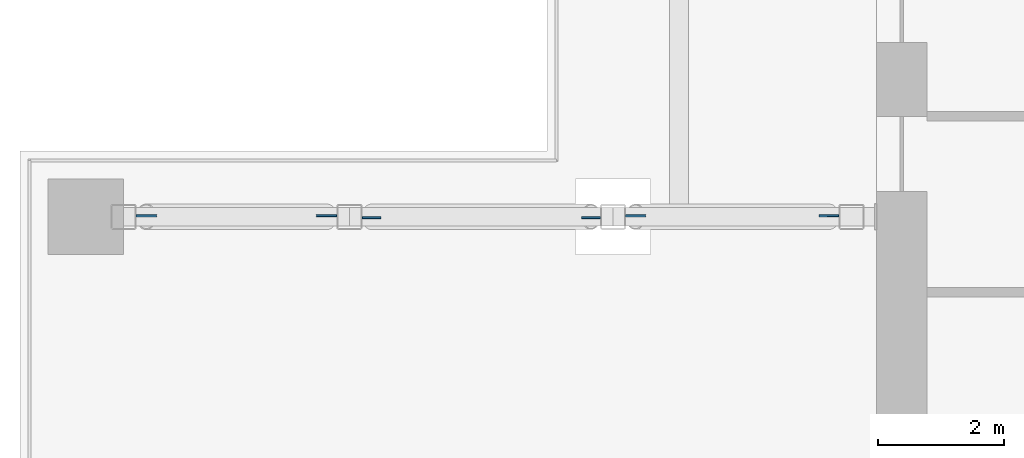
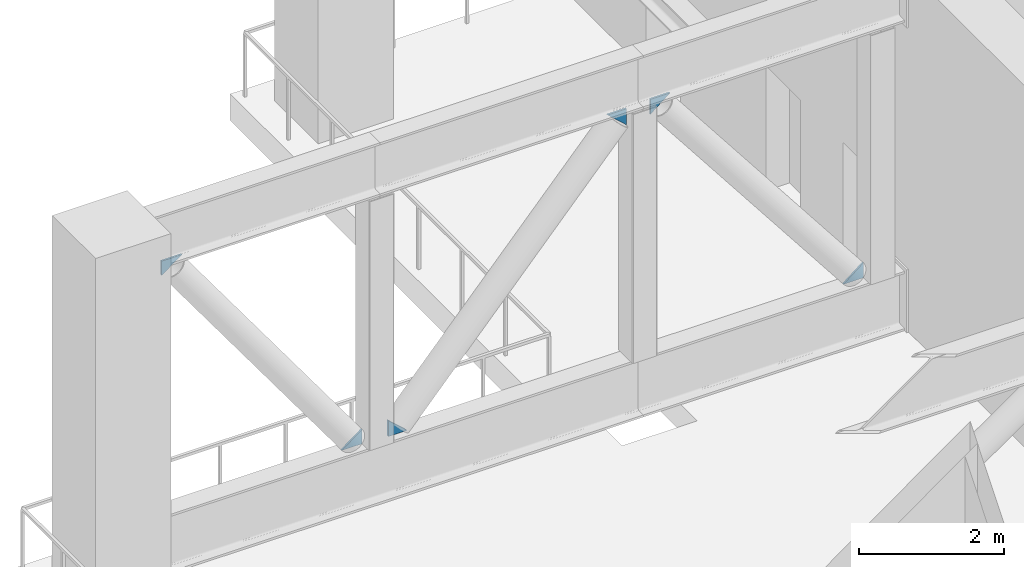
# One storey, part 14 of 23: 6 plates.
"""IFC4 building model written with IfcOpenShell, lengths in metres."""

from ifc_helpers import new_model, si_unit, direction, frame, origin, place, context, subcontext, project, spatial, polyline, outline, extrude, material, layer, layer_set, type_object, element, save


model = new_model("IFC4")

# Units and contexts
model_context = context("Model", 3, precision=1e-05, world=origin(), true_north=direction((0.0, 1.0)))
body_context = subcontext(model_context, "Body", "Model", "MODEL_VIEW")
ifc_project = project(units=[si_unit("LENGTHUNIT", "METRE"), si_unit("AREAUNIT", "SQUARE_METRE"), si_unit("VOLUMEUNIT", "CUBIC_METRE"), si_unit("PLANEANGLEUNIT", "RADIAN"), si_unit("MASSUNIT", "GRAM", prefix="KILO")], contexts=[model_context])

# Site, building, storey
site_placement = place(None, origin())
site = spatial("IfcSite", under=ifc_project, at=site_placement, CompositionType="ELEMENT")
building_placement = place(site_placement, origin())
building = spatial("IfcBuilding", under=site, at=building_placement, Name="Vermilion Ogive Tower", CompositionType="ELEMENT")
storey_placement = place(building_placement, frame((0.0, 0.0, 121.800048828125)))
storey = spatial("IfcBuildingStorey", under=building, at=storey_placement, Name="L31", CompositionType="ELEMENT", Elevation=121.800048828125)

# Plates
ifc_material = material(Name="Steel S355", Category="steel")
ifc_layer = layer(ifc_material, 0.030029296875)
ifc_layer_set = layer_set([ifc_layer], Name="Truss gusset plate 30")
plate_type = type_object("IfcPlateType", Name="Truss gusset plate 30", PredefinedType="USERDEFINED", material=ifc_layer_set)
for number, where, z_axis, x_axis, name in (
    (1, (-13.199951171875, 12.60009765625, 1.25244140625), (0.0, -1.0, 0.0), (-0.782860831634, 0.0, -0.622196848508), "Gusset plate L31-TR-EWW+12.6-D0A"),
    (2, (-16.60009765625, 12.60009765625, 4.947509765625), (0.0, -1.0, 0.0), (0.782860831634, 0.0, 0.622196848508), "Gusset plate L31-TR-EWW+12.6-D0B"),
):
    element("IfcPlate", number, at=place(storey_placement, frame(where, z_axis=z_axis, x_axis=x_axis)), inside=storey, type_object=plate_type, Name=name, ObjectType="GUSSET PLATE", PredefinedType="USERDEFINED", context=body_context, shape_type="SweptSolid", body=[
        extrude(outline(polyline([(0.0, 0.0), (0.40572594807449586, 0.0), (0.15706824740175754, 0.19762648923567366), (0.0, 0.0)])), origin(), (0.0, 0.0, -1.0), 0.030029296875),
    ])
for number, where, z_axis, x_axis, name in (
    (3, (-17.0, 12.60009765625, 4.928955078125), (0.0, 1.0, 0.0), (-0.744280627096, 0.0, 0.667867013805), "Gusset plate L31-TR-EWW+12.6-D1A"),
    (4, (-20.800048828125, 12.60009765625, 1.27099609375), (0.0, 1.0, 0.0), (0.744280627096, 0.0, -0.667867013805), "Gusset plate L31-TR-EWW+12.6-D1B"),
):
    element("IfcPlate", number, at=place(storey_placement, frame(where, z_axis=z_axis, x_axis=x_axis)), inside=storey, type_object=plate_type, Name=name, ObjectType="GUSSET PLATE", PredefinedType="USERDEFINED", context=body_context, shape_type="SweptSolid", body=[
        extrude(outline(polyline([(0.0, 0.0), (0.40576355494188177, 0.0), (0.18098935188567533, 0.20169714259691926), (0.0, 0.0)])), origin(), (0.0, 0.0, -1.0), 0.030029296875),
    ])
for number, where, z_axis, x_axis, name in (
    (5, (-21.199951171875, 12.60009765625, 1.2421875), (0.0, -1.0, 0.0), (-0.802233221274, 0.0, -0.59701076932), "Gusset plate L31-TR-EWW+12.6-D2A"),
    (6, (-24.39990234375, 12.60009765625, 4.957763671875), (0.0, -1.0, 0.0), (0.802233221274, 0.0, 0.59701076932), "Gusset plate L31-TR-EWW+12.6-D2B"),
):
    element("IfcPlate", number, at=place(storey_placement, frame(where, z_axis=z_axis, x_axis=x_axis)), inside=storey, type_object=plate_type, Name=name, ObjectType="GUSSET PLATE", PredefinedType="USERDEFINED", context=body_context, shape_type="SweptSolid", body=[
        extrude(outline(polyline([(0.0, 0.0), (0.4056668865048626, -2.7755575615628914e-17), (0.14458854569473698, 0.19429085827730277), (0.0, 0.0)])), origin(), (0.0, 0.0, -1.0), 0.030029296875),
    ])

save(model, "model.ifc")
